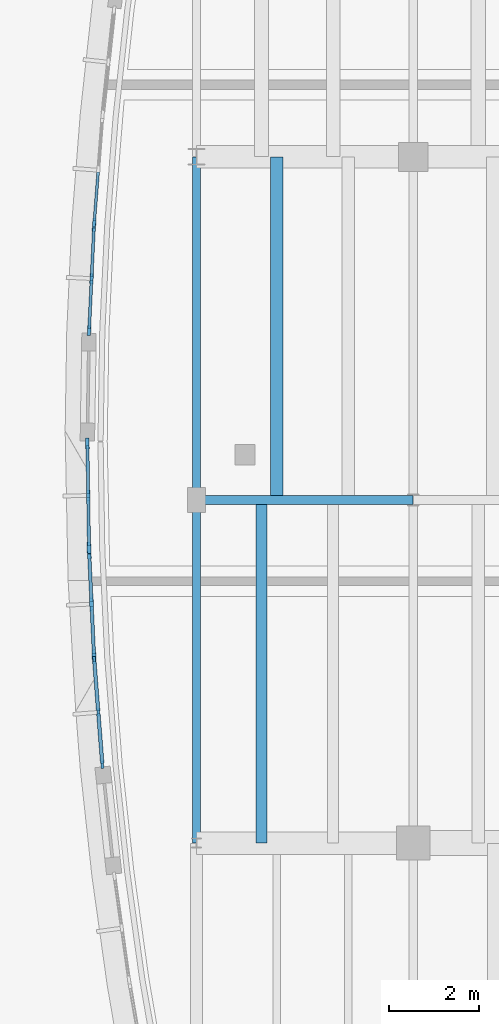
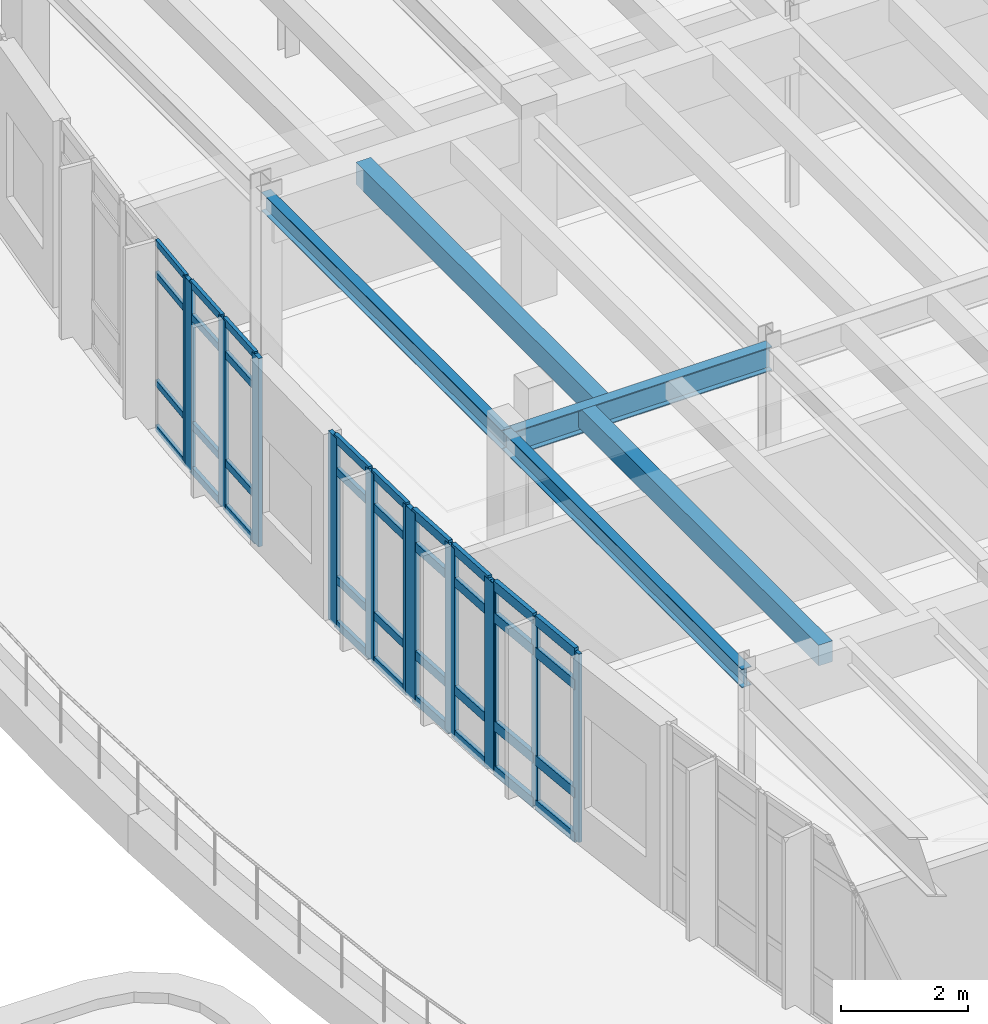
# One storey, part 46 of 111: 49 members, 5 beams, 5 elements without a shape of their own.
"""IFC4 building model written with IfcOpenShell, lengths in metres."""

from ifc_helpers import new_model, si_unit, direction, frame, origin, origin_2d, place, context, subcontext, project, spatial, rectangle, i_section, extrude, material, material_profile, profile_set, type_object, element, aggregate, save


model = new_model("IFC4")

# Units and contexts
model_context = context("Model", 3, precision=1e-05, world=origin(), true_north=direction((0.0, 1.0)))
body_context = subcontext(model_context, "Body", "Model", "MODEL_VIEW")
ifc_project = project(units=[si_unit("LENGTHUNIT", "METRE"), si_unit("AREAUNIT", "SQUARE_METRE"), si_unit("VOLUMEUNIT", "CUBIC_METRE"), si_unit("PLANEANGLEUNIT", "RADIAN"), si_unit("MASSUNIT", "GRAM", prefix="KILO")], contexts=[model_context])

# Site, building, storey
site_placement = place(None, origin())
site = spatial("IfcSite", under=ifc_project, at=site_placement, CompositionType="ELEMENT")
building_placement = place(site_placement, origin())
building = spatial("IfcBuilding", under=site, at=building_placement, Name="Corveleigh Park Community Centre", CompositionType="ELEMENT")
storey_placement = place(building_placement, frame((0.0, 0.0, 4.800048828125)))
storey = spatial("IfcBuildingStorey", under=building, at=storey_placement, Name="L01", CompositionType="ELEMENT", Elevation=4.800048828125)

# Beams
ifc_material_1 = material(Name="Concrete C40/50", Category="concrete")
ifc_material_profile_1 = material_profile(ifc_material_1, rectangle(XDim=0.25, YDim=0.39990234375, at=origin_2d()), Name="RC-250x400", Category="concrete")
ifc_profile_set_1 = profile_set([ifc_material_profile_1], Name="Concrete C40/50")
beam_type_1 = type_object("IfcBeamType", Name="BM-RC-250x400", PredefinedType="JOIST", material=ifc_profile_set_1)
beam_1_placement = place(storey_placement, frame((136.0400390625, 73.804931640625, 3.411865234375), z_axis=(0.0, 1.0, 0.0), x_axis=(-1.0, 0.0, 0.0)))
element("IfcBeam", 1, at=beam_1_placement, inside=storey, type_object=beam_type_1, Name="Secondary floor joist", PredefinedType="JOIST", context=body_context, shape_type="SweptSolid", body=[
    extrude(rectangle(XDim=0.25, YDim=0.39990234375, at=origin_2d()), origin(), (0.0, 0.0, 1.0), 7.590087890625),
])
ifc_material_profile_2 = material_profile(ifc_material_1, rectangle(XDim=0.27490234375, YDim=0.425048828125, at=origin_2d()), Name="RC-275x425", Category="concrete")
ifc_profile_set_2 = profile_set([ifc_material_profile_2], Name="Concrete C40/50")
beam_type_2 = type_object("IfcBeamType", Name="BM-RC-275x425", PredefinedType="JOIST", material=ifc_profile_set_2)
beam_2_placement = place(storey_placement, frame((136.3759765625, 81.405029296875, 3.3994140625), z_axis=(0.0, 1.0, 0.0), x_axis=(-1.0, 0.0, 0.0)))
element("IfcBeam", 2, at=beam_2_placement, inside=storey, type_object=beam_type_2, Name="Secondary floor joist", PredefinedType="JOIST", context=body_context, shape_type="SweptSolid", body=[
    extrude(rectangle(XDim=0.27490234375, YDim=0.425048828125, at=origin_2d()), origin(), (0.0, 0.0, 1.0), 7.590087890625),
])
ifc_material_2 = material(Name="Steel S355", Category="steel")
ifc_material_profile_3 = material_profile(ifc_material_2, i_section(OverallWidth=0.172119140625, OverallDepth=0.35791015625, WebThickness=0.008056640625, FlangeThickness=0.012939453125, at=origin_2d()), Name="UKB 356x171x57", Category="steel")
ifc_profile_set_3 = profile_set([ifc_material_profile_3], Name="Steel S355")
beam_type_3 = type_object("IfcBeamType", Name="BM-STL-UKB356x57", PredefinedType="BEAM", material=ifc_profile_set_3)
beam_3_placement = place(storey_placement, frame((134.60009765625, 73.804931640625, 3.4580078125), z_axis=(0.0, 1.0, 0.0), x_axis=(-1.0, 0.0, 0.0)))
element("IfcBeam", 3, at=beam_3_placement, inside=storey, type_object=beam_type_3, Name="V4 Girder Y", PredefinedType="BEAM", context=body_context, shape_type="SweptSolid", body=[
    extrude(i_section(OverallWidth=0.172119140625, OverallDepth=0.35791015625, WebThickness=0.008056640625, FlangeThickness=0.012939453125, at=origin_2d()), origin(), (0.0, 0.0, 1.0), 7.590087890625),
])
ifc_material_profile_4 = material_profile(ifc_material_2, i_section(OverallWidth=0.173095703125, OverallDepth=0.36328125, WebThickness=0.009033203125, FlangeThickness=0.015625, at=origin_2d()), Name="UKB 356x171x67", Category="steel")
ifc_profile_set_4 = profile_set([ifc_material_profile_4], Name="Steel S355")
beam_type_4 = type_object("IfcBeamType", Name="BM-STL-UKB356x67", PredefinedType="BEAM", material=ifc_profile_set_4)
beam_4_placement = place(storey_placement, frame((134.60009765625, 81.405029296875, 3.455322265625), z_axis=(0.0, 1.0, 0.0), x_axis=(-1.0, 0.0, 0.0)))
element("IfcBeam", 4, at=beam_4_placement, inside=storey, type_object=beam_type_4, Name="V4 Girder Y", PredefinedType="BEAM", context=body_context, shape_type="SweptSolid", body=[
    extrude(i_section(OverallWidth=0.173095703125, OverallDepth=0.36328125, WebThickness=0.009033203125, FlangeThickness=0.015625, at=origin_2d()), origin(), (0.0, 0.0, 1.0), 7.590087890625),
])
ifc_material_profile_5 = material_profile(ifc_material_2, i_section(OverallWidth=0.19189453125, OverallDepth=0.46337890625, WebThickness=0.010498046875, FlangeThickness=0.017578125, at=origin_2d()), Name="UKB 457x191x89", Category="steel")
ifc_profile_set_5 = profile_set([ifc_material_profile_5], Name="Steel S355")
beam_type_5 = type_object("IfcBeamType", Name="BM-STL-UKB457x89", PredefinedType="BEAM", material=ifc_profile_set_5)
beam_5_placement = place(storey_placement, frame((134.60498046875, 81.39990234375, 3.38037109375), z_axis=(1.0, 0.0, 0.0), x_axis=(0.0, 1.0, 0.0)))
element("IfcBeam", 5, at=beam_5_placement, inside=storey, type_object=beam_type_5, Name="V4 Girder X", PredefinedType="BEAM", context=body_context, shape_type="SweptSolid", body=[
    extrude(i_section(OverallWidth=0.19189453125, OverallDepth=0.46337890625, WebThickness=0.010498046875, FlangeThickness=0.017578125, at=origin_2d()), origin(), (0.0, 0.0, 1.0), 4.7900390625),
])

# Curtain wall, members
ifc_material_3 = material(Name="Anodised aluminium 6063-T6", Category="aluminium")
curtain_wall_type = type_object("IfcCurtainWallType", Name="CW-SYS-V4-L01", PredefinedType="NOTDEFINED", material=ifc_material_3)
curtain_wall_1_placement = place(storey_placement, origin())
curtain_wall_1 = element("IfcCurtainWall", 6, at=curtain_wall_1_placement, inside=storey, type_object=curtain_wall_type, Name="V4 L01 Curtain Wall 295", PredefinedType="NOTDEFINED")
ifc_material_profile_6 = material_profile(ifc_material_3, rectangle(XDim=0.06005859375, YDim=0.159912109375, at=origin_2d()), Name="ALU-M60x160", Category="aluminium")
ifc_profile_set_6 = profile_set([ifc_material_profile_6], Name="Anodised aluminium 6063-T6")
member_type_1 = type_object("IfcMemberType", Name="CWM-60x160", PredefinedType="MULLION", material=ifc_profile_set_6)
member_1_placement = place(storey_placement, frame((132.513671875, 75.535888671875, 0.0), z_axis=(0.0, 0.0, 1.0), x_axis=(-0.997022350164, -0.077113119982, 0.0)))
member_1 = element("IfcMember", 7, at=member_1_placement, type_object=member_type_1, Name="CW08 mullion 1", PredefinedType="MULLION", context=body_context, shape_type="SweptSolid", body=[
    extrude(rectangle(XDim=0.06005859375, YDim=0.159912109375, at=origin_2d()), origin(), (0.0, 0.0, 1.0), 3.636962890625),
])
member_2_placement = place(storey_placement, frame((132.424072265625, 76.695556640625, 0.0), z_axis=(0.0, 0.0, 1.0), x_axis=(-0.997022350164, -0.077113119982, 0.0)))
member_2 = element("IfcMember", 8, at=member_2_placement, type_object=member_type_1, Name="CW08 mullion 2", PredefinedType="MULLION", context=body_context, shape_type="SweptSolid", body=[
    extrude(rectangle(XDim=0.06005859375, YDim=0.159912109375, at=origin_2d()), origin(), (0.0, 0.0, 1.0), 3.636962890625),
])
member_3_placement = place(storey_placement, frame((132.334228515625, 77.85498046875, 0.0), z_axis=(0.0, 0.0, 1.0), x_axis=(-0.997022350164, -0.077113119982, 0.0)))
member_3 = element("IfcMember", 9, at=member_3_placement, type_object=member_type_1, Name="CW08 mullion 3", PredefinedType="MULLION", context=body_context, shape_type="SweptSolid", body=[
    extrude(rectangle(XDim=0.06005859375, YDim=0.159912109375, at=origin_2d()), origin(), (0.0, 0.0, 1.0), 3.636962890625),
])

# Curtain wall, member
curtain_wall_2_placement = place(storey_placement, origin())
curtain_wall_2 = element("IfcCurtainWall", 10, at=curtain_wall_2_placement, inside=storey, type_object=curtain_wall_type, Name="V4 L01 Curtain Wall 291", PredefinedType="NOTDEFINED")
ifc_material_profile_7 = material_profile(ifc_material_3, rectangle(XDim=0.070068359375, YDim=0.199951171875, at=origin_2d()), Name="ALU-M70x200", Category="aluminium")
ifc_profile_set_7 = profile_set([ifc_material_profile_7], Name="Anodised aluminium 6063-T6")
member_type_2 = type_object("IfcMemberType", Name="CWM-70x200", PredefinedType="MULLION", material=ifc_profile_set_7)
member_4_placement = place(storey_placement, frame((132.334716796875, 87.5498046875, 0.0), z_axis=(0.0, 0.0, 1.0), x_axis=(-0.997022350164, 0.077113119982, 0.0)))
member_4 = element("IfcMember", 11, at=member_4_placement, type_object=member_type_2, Name="CW08 mullion 1", PredefinedType="MULLION", context=body_context, shape_type="SweptSolid", body=[
    extrude(rectangle(XDim=0.070068359375, YDim=0.199951171875, at=origin_2d()), origin(), (0.0, 0.0, 1.0), 3.636962890625),
])

# Curtain wall, members
curtain_wall_3_placement = place(storey_placement, origin())
curtain_wall_3 = element("IfcCurtainWall", 12, at=curtain_wall_3_placement, inside=storey, type_object=curtain_wall_type, Name="V4 L01 Curtain Wall 292", PredefinedType="NOTDEFINED")
ifc_material_profile_8 = material_profile(ifc_material_3, rectangle(XDim=0.074951171875, YDim=0.219970703125, at=origin_2d()), Name="ALU-M75x220", Category="aluminium")
ifc_profile_set_8 = profile_set([ifc_material_profile_8], Name="Anodised aluminium 6063-T6")
member_type_3 = type_object("IfcMemberType", Name="CWM-75x220", PredefinedType="MULLION", material=ifc_profile_set_8)
member_5_placement = place(storey_placement, frame((132.220703125, 85.150390625, 0.0), z_axis=(0.0, 0.0, 1.0), x_axis=(-0.9988982695, 0.046928106618, 0.0)))
member_5 = element("IfcMember", 13, at=member_5_placement, type_object=member_type_3, Name="CW08 mullion 1", PredefinedType="MULLION", context=body_context, shape_type="SweptSolid", body=[
    extrude(rectangle(XDim=0.074951171875, YDim=0.219970703125, at=origin_2d()), origin(), (0.0, 0.0, 1.0), 3.636962890625),
])
member_6_placement = place(storey_placement, frame((132.27490234375, 86.304931640625, 0.0), z_axis=(0.0, 0.0, 1.0), x_axis=(-0.9988982695, 0.046928106618, 0.0)))
member_6 = element("IfcMember", 14, at=member_6_placement, type_object=member_type_3, Name="CW08 mullion 2", PredefinedType="MULLION", context=body_context, shape_type="SweptSolid", body=[
    extrude(rectangle(XDim=0.074951171875, YDim=0.219970703125, at=origin_2d()), origin(), (0.0, 0.0, 1.0), 3.636962890625),
])
member_7_placement = place(storey_placement, frame((132.329345703125, 87.45947265625, 0.0), z_axis=(0.0, 0.0, 1.0), x_axis=(-0.9988982695, 0.046928106618, 0.0)))
member_7 = element("IfcMember", 15, at=member_7_placement, type_object=member_type_3, Name="CW08 mullion 3", PredefinedType="MULLION", context=body_context, shape_type="SweptSolid", body=[
    extrude(rectangle(XDim=0.074951171875, YDim=0.219970703125, at=origin_2d()), origin(), (0.0, 0.0, 1.0), 3.636962890625),
])

curtain_wall_4_placement = place(storey_placement, origin())
curtain_wall_4 = element("IfcCurtainWall", 16, at=curtain_wall_4_placement, inside=storey, type_object=curtain_wall_type, Name="V4 L01 Curtain Wall 293", PredefinedType="NOTDEFINED")
ifc_material_profile_9 = material_profile(ifc_material_3, rectangle(XDim=0.080078125, YDim=0.25, at=origin_2d()), Name="ALU-M80x250", Category="aluminium")
ifc_profile_set_9 = profile_set([ifc_material_profile_9], Name="Anodised aluminium 6063-T6")
member_type_4 = type_object("IfcMemberType", Name="CWM-80x250", PredefinedType="MULLION", material=ifc_profile_set_9)
member_8_placement = place(storey_placement, frame((132.21826171875, 80.344970703125, 0.0), z_axis=(0.0, 0.0, 1.0), x_axis=(-0.999879786219, -0.015505260721, 0.0)))
member_8 = element("IfcMember", 17, at=member_8_placement, type_object=member_type_4, Name="CW08 mullion 1", PredefinedType="MULLION", context=body_context, shape_type="SweptSolid", body=[
    extrude(rectangle(XDim=0.080078125, YDim=0.25, at=origin_2d()), origin(), (0.0, 0.0, 1.0), 3.636962890625),
])
member_9_placement = place(storey_placement, frame((132.200439453125, 81.498046875, 0.0), z_axis=(0.0, 0.0, 1.0), x_axis=(-0.999879786219, -0.015505260721, 0.0)))
member_9 = element("IfcMember", 18, at=member_9_placement, type_object=member_type_4, Name="CW08 mullion 2", PredefinedType="MULLION", context=body_context, shape_type="SweptSolid", body=[
    extrude(rectangle(XDim=0.080078125, YDim=0.25, at=origin_2d()), origin(), (0.0, 0.0, 1.0), 3.636962890625),
])
member_10_placement = place(storey_placement, frame((132.1826171875, 82.651123046875, 0.0), z_axis=(0.0, 0.0, 1.0), x_axis=(-0.999879786219, -0.015505260721, 0.0)))
member_10 = element("IfcMember", 19, at=member_10_placement, type_object=member_type_4, Name="CW08 mullion 3", PredefinedType="MULLION", context=body_context, shape_type="SweptSolid", body=[
    extrude(rectangle(XDim=0.080078125, YDim=0.25, at=origin_2d()), origin(), (0.0, 0.0, 1.0), 3.636962890625),
])

curtain_wall_5_placement = place(storey_placement, origin())
curtain_wall_5 = element("IfcCurtainWall", 20, at=curtain_wall_5_placement, inside=storey, type_object=curtain_wall_type, Name="V4 L01 Curtain Wall 294", PredefinedType="NOTDEFINED")
ifc_material_profile_10 = material_profile(ifc_material_3, rectangle(XDim=0.0849609375, YDim=0.27490234375, at=origin_2d()), Name="ALU-M85x275", Category="aluminium")
ifc_profile_set_10 = profile_set([ifc_material_profile_10], Name="Anodised aluminium 6063-T6")
member_type_5 = type_object("IfcMemberType", Name="CWM-85x275", PredefinedType="MULLION", material=ifc_profile_set_10)
member_11_placement = place(storey_placement, frame((132.3291015625, 77.945556640625, 0.0), z_axis=(0.0, 0.0, 1.0), x_axis=(-0.9988982695, -0.046928106618, 0.0)))
member_11 = element("IfcMember", 21, at=member_11_placement, type_object=member_type_5, Name="CW08 mullion 1", PredefinedType="MULLION", context=body_context, shape_type="SweptSolid", body=[
    extrude(rectangle(XDim=0.0849609375, YDim=0.27490234375, at=origin_2d()), origin(), (0.0, 0.0, 1.0), 3.636962890625),
])
member_12_placement = place(storey_placement, frame((132.27490234375, 79.094970703125, 0.0), z_axis=(0.0, 0.0, 1.0), x_axis=(-0.9988982695, -0.046928106618, 0.0)))
member_12 = element("IfcMember", 22, at=member_12_placement, type_object=member_type_5, Name="CW08 mullion 2", PredefinedType="MULLION", context=body_context, shape_type="SweptSolid", body=[
    extrude(rectangle(XDim=0.0849609375, YDim=0.27490234375, at=origin_2d()), origin(), (0.0, 0.0, 1.0), 3.636962890625),
])
member_13_placement = place(storey_placement, frame((132.220947265625, 80.24462890625, 0.0), z_axis=(0.0, 0.0, 1.0), x_axis=(-0.9988982695, -0.046928106618, 0.0)))
member_13 = element("IfcMember", 23, at=member_13_placement, type_object=member_type_5, Name="CW08 mullion 3", PredefinedType="MULLION", context=body_context, shape_type="SweptSolid", body=[
    extrude(rectangle(XDim=0.0849609375, YDim=0.27490234375, at=origin_2d()), origin(), (0.0, 0.0, 1.0), 3.636962890625),
])

# Member
ifc_material_profile_11 = material_profile(ifc_material_3, rectangle(XDim=0.06005859375, YDim=0.1201171875, at=origin_2d()), Name="ALU-T60x120", Category="aluminium")
ifc_profile_set_11 = profile_set([ifc_material_profile_11], Name="Anodised aluminium 6063-T6")
member_type_6 = type_object("IfcMemberType", Name="CWT-60x120", PredefinedType="USERDEFINED", material=ifc_profile_set_11)
member_14_placement = place(storey_placement, frame((132.33740234375, 87.584716796875, 0.030029296875), z_axis=(0.077176865824, 0.997017417793, 0.0), x_axis=(-0.997017417793, 0.077176865824, 0.0)))
member_14 = element("IfcMember", 24, at=member_14_placement, type_object=member_type_6, Name="CW08 transom 1.1", ObjectType="TRANSOM", PredefinedType="USERDEFINED", context=body_context, shape_type="SweptSolid", body=[
    extrude(rectangle(XDim=0.06005859375, YDim=0.1201171875, at=origin_2d()), origin(), (0.0, 0.0, 1.0), 1.088134765625),
])

member_15_placement = place(storey_placement, frame((132.33740234375, 87.584716796875, 0.89990234375), z_axis=(0.077176865824, 0.997017417793, 0.0), x_axis=(-0.997017417793, 0.077176865824, 0.0)))
member_15 = element("IfcMember", 25, at=member_15_placement, type_object=member_type_6, Name="CW08 transom 1.2", ObjectType="TRANSOM", PredefinedType="USERDEFINED", context=body_context, shape_type="SweptSolid", body=[
    extrude(rectangle(XDim=0.06005859375, YDim=0.1201171875, at=origin_2d()), origin(), (0.0, 0.0, 1.0), 1.088134765625),
])

member_16_placement = place(storey_placement, frame((132.33740234375, 87.584716796875, 2.987060546875), z_axis=(0.077176865824, 0.997017417793, 0.0), x_axis=(-0.997017417793, 0.077176865824, 0.0)))
member_16 = element("IfcMember", 26, at=member_16_placement, type_object=member_type_6, Name="CW08 transom 1.3", ObjectType="TRANSOM", PredefinedType="USERDEFINED", context=body_context, shape_type="SweptSolid", body=[
    extrude(rectangle(XDim=0.06005859375, YDim=0.1201171875, at=origin_2d()), origin(), (0.0, 0.0, 1.0), 1.088134765625),
])

member_17_placement = place(storey_placement, frame((132.33740234375, 87.584716796875, 3.60693359375), z_axis=(0.077176865824, 0.997017417793, 0.0), x_axis=(-0.997017417793, 0.077176865824, 0.0)))
member_17 = element("IfcMember", 27, at=member_17_placement, type_object=member_type_6, Name="CW08 transom 1.4", ObjectType="TRANSOM", PredefinedType="USERDEFINED", context=body_context, shape_type="SweptSolid", body=[
    extrude(rectangle(XDim=0.06005859375, YDim=0.1201171875, at=origin_2d()), origin(), (0.0, 0.0, 1.0), 1.088134765625),
])

aggregate(curtain_wall_2, [member_4, member_14, member_15, member_16, member_17])

ifc_material_profile_12 = material_profile(ifc_material_3, rectangle(XDim=0.06494140625, YDim=0.139892578125, at=origin_2d()), Name="ALU-T65x140", Category="aluminium")
ifc_profile_set_12 = profile_set([ifc_material_profile_12], Name="Anodised aluminium 6063-T6")
member_type_7 = type_object("IfcMemberType", Name="CWT-65x140", PredefinedType="USERDEFINED", material=ifc_profile_set_12)
member_18_placement = place(storey_placement, frame((132.222412109375, 85.18798828125, 0.032470703125), z_axis=(0.046985589778, 0.998895567291, 0.0), x_axis=(-0.998895567291, 0.046985589778, 0.0)))
member_18 = element("IfcMember", 28, at=member_18_placement, type_object=member_type_7, Name="CW08 transom 1.1", ObjectType="TRANSOM", PredefinedType="USERDEFINED", context=body_context, shape_type="SweptSolid", body=[
    extrude(rectangle(XDim=0.06494140625, YDim=0.139892578125, at=origin_2d()), origin(), (0.0, 0.0, 1.0), 1.080810546875),
])

member_19_placement = place(storey_placement, frame((132.222412109375, 85.18798828125, 0.89990234375), z_axis=(0.046985589778, 0.998895567291, 0.0), x_axis=(-0.998895567291, 0.046985589778, 0.0)))
member_19 = element("IfcMember", 29, at=member_19_placement, type_object=member_type_7, Name="CW08 transom 1.2", ObjectType="TRANSOM", PredefinedType="USERDEFINED", context=body_context, shape_type="SweptSolid", body=[
    extrude(rectangle(XDim=0.06494140625, YDim=0.139892578125, at=origin_2d()), origin(), (0.0, 0.0, 1.0), 1.080810546875),
])

member_20_placement = place(storey_placement, frame((132.222412109375, 85.18798828125, 2.987060546875), z_axis=(0.046985589778, 0.998895567291, 0.0), x_axis=(-0.998895567291, 0.046985589778, 0.0)))
member_20 = element("IfcMember", 30, at=member_20_placement, type_object=member_type_7, Name="CW08 transom 1.3", ObjectType="TRANSOM", PredefinedType="USERDEFINED", context=body_context, shape_type="SweptSolid", body=[
    extrude(rectangle(XDim=0.06494140625, YDim=0.139892578125, at=origin_2d()), origin(), (0.0, 0.0, 1.0), 1.080810546875),
])

member_21_placement = place(storey_placement, frame((132.222412109375, 85.18798828125, 3.6044921875), z_axis=(0.046985589778, 0.998895567291, 0.0), x_axis=(-0.998895567291, 0.046985589778, 0.0)))
member_21 = element("IfcMember", 31, at=member_21_placement, type_object=member_type_7, Name="CW08 transom 1.4", ObjectType="TRANSOM", PredefinedType="USERDEFINED", context=body_context, shape_type="SweptSolid", body=[
    extrude(rectangle(XDim=0.06494140625, YDim=0.139892578125, at=origin_2d()), origin(), (0.0, 0.0, 1.0), 1.080810546875),
])

member_22_placement = place(storey_placement, frame((132.27685546875, 86.342529296875, 0.032470703125), z_axis=(0.046760192626, 0.998906143932, 0.0), x_axis=(-0.998906143932, 0.046760192626, 0.0)))
member_22 = element("IfcMember", 32, at=member_22_placement, type_object=member_type_7, Name="CW08 transom 2.1", ObjectType="TRANSOM", PredefinedType="USERDEFINED", context=body_context, shape_type="SweptSolid", body=[
    extrude(rectangle(XDim=0.06494140625, YDim=0.139892578125, at=origin_2d()), origin(), (0.0, 0.0, 1.0), 1.080810546875),
])

member_23_placement = place(storey_placement, frame((132.27685546875, 86.342529296875, 0.89990234375), z_axis=(0.046760192626, 0.998906143932, 0.0), x_axis=(-0.998906143932, 0.046760192626, 0.0)))
member_23 = element("IfcMember", 33, at=member_23_placement, type_object=member_type_7, Name="CW08 transom 2.2", ObjectType="TRANSOM", PredefinedType="USERDEFINED", context=body_context, shape_type="SweptSolid", body=[
    extrude(rectangle(XDim=0.06494140625, YDim=0.139892578125, at=origin_2d()), origin(), (0.0, 0.0, 1.0), 1.080810546875),
])

member_24_placement = place(storey_placement, frame((132.27685546875, 86.342529296875, 2.987060546875), z_axis=(0.046760192626, 0.998906143932, 0.0), x_axis=(-0.998906143932, 0.046760192626, 0.0)))
member_24 = element("IfcMember", 34, at=member_24_placement, type_object=member_type_7, Name="CW08 transom 2.3", ObjectType="TRANSOM", PredefinedType="USERDEFINED", context=body_context, shape_type="SweptSolid", body=[
    extrude(rectangle(XDim=0.06494140625, YDim=0.139892578125, at=origin_2d()), origin(), (0.0, 0.0, 1.0), 1.080810546875),
])

member_25_placement = place(storey_placement, frame((132.27685546875, 86.342529296875, 3.6044921875), z_axis=(0.046760192626, 0.998906143932, 0.0), x_axis=(-0.998906143932, 0.046760192626, 0.0)))
member_25 = element("IfcMember", 35, at=member_25_placement, type_object=member_type_7, Name="CW08 transom 2.4", ObjectType="TRANSOM", PredefinedType="USERDEFINED", context=body_context, shape_type="SweptSolid", body=[
    extrude(rectangle(XDim=0.06494140625, YDim=0.139892578125, at=origin_2d()), origin(), (0.0, 0.0, 1.0), 1.080810546875),
])

aggregate(curtain_wall_3, [member_5, member_6, member_7, member_18, member_19, member_20, member_21, member_22, member_23, member_24, member_25])

ifc_material_profile_13 = material_profile(ifc_material_3, rectangle(XDim=0.070068359375, YDim=0.155029296875, at=origin_2d()), Name="ALU-T70x155", Category="aluminium")
ifc_profile_set_13 = profile_set([ifc_material_profile_13], Name="Anodised aluminium 6063-T6")
member_type_8 = type_object("IfcMemberType", Name="CWT-70x155", PredefinedType="USERDEFINED", material=ifc_profile_set_13)
member_26_placement = place(storey_placement, frame((132.2177734375, 80.385009765625, 0.034912109375), z_axis=(-0.015470275839, 0.999880328122, 0.0), x_axis=(-0.999880328122, -0.015470275839, 0.0)))
member_26 = element("IfcMember", 36, at=member_26_placement, type_object=member_type_8, Name="CW08 transom 1.1", ObjectType="TRANSOM", PredefinedType="USERDEFINED", context=body_context, shape_type="SweptSolid", body=[
    extrude(rectangle(XDim=0.070068359375, YDim=0.155029296875, at=origin_2d()), origin(), (0.0, 0.0, 1.0), 1.0732421875),
])

member_27_placement = place(storey_placement, frame((132.2177734375, 80.385009765625, 0.89990234375), z_axis=(-0.015470275839, 0.999880328122, 0.0), x_axis=(-0.999880328122, -0.015470275839, 0.0)))
member_27 = element("IfcMember", 37, at=member_27_placement, type_object=member_type_8, Name="CW08 transom 1.2", ObjectType="TRANSOM", PredefinedType="USERDEFINED", context=body_context, shape_type="SweptSolid", body=[
    extrude(rectangle(XDim=0.070068359375, YDim=0.155029296875, at=origin_2d()), origin(), (0.0, 0.0, 1.0), 1.0732421875),
])

member_28_placement = place(storey_placement, frame((132.2177734375, 80.385009765625, 2.987060546875), z_axis=(-0.015470275839, 0.999880328122, 0.0), x_axis=(-0.999880328122, -0.015470275839, 0.0)))
member_28 = element("IfcMember", 38, at=member_28_placement, type_object=member_type_8, Name="CW08 transom 1.3", ObjectType="TRANSOM", PredefinedType="USERDEFINED", context=body_context, shape_type="SweptSolid", body=[
    extrude(rectangle(XDim=0.070068359375, YDim=0.155029296875, at=origin_2d()), origin(), (0.0, 0.0, 1.0), 1.0732421875),
])

member_29_placement = place(storey_placement, frame((132.2177734375, 80.385009765625, 3.60205078125), z_axis=(-0.015470275839, 0.999880328122, 0.0), x_axis=(-0.999880328122, -0.015470275839, 0.0)))
member_29 = element("IfcMember", 39, at=member_29_placement, type_object=member_type_8, Name="CW08 transom 1.4", ObjectType="TRANSOM", PredefinedType="USERDEFINED", context=body_context, shape_type="SweptSolid", body=[
    extrude(rectangle(XDim=0.070068359375, YDim=0.155029296875, at=origin_2d()), origin(), (0.0, 0.0, 1.0), 1.0732421875),
])

member_30_placement = place(storey_placement, frame((132.199951171875, 81.5380859375, 0.034912109375), z_axis=(-0.015470275839, 0.999880328122, 0.0), x_axis=(-0.999880328122, -0.015470275839, 0.0)))
member_30 = element("IfcMember", 40, at=member_30_placement, type_object=member_type_8, Name="CW08 transom 2.1", ObjectType="TRANSOM", PredefinedType="USERDEFINED", context=body_context, shape_type="SweptSolid", body=[
    extrude(rectangle(XDim=0.070068359375, YDim=0.155029296875, at=origin_2d()), origin(), (0.0, 0.0, 1.0), 1.0732421875),
])

member_31_placement = place(storey_placement, frame((132.199951171875, 81.5380859375, 0.89990234375), z_axis=(-0.015470275839, 0.999880328122, 0.0), x_axis=(-0.999880328122, -0.015470275839, 0.0)))
member_31 = element("IfcMember", 41, at=member_31_placement, type_object=member_type_8, Name="CW08 transom 2.2", ObjectType="TRANSOM", PredefinedType="USERDEFINED", context=body_context, shape_type="SweptSolid", body=[
    extrude(rectangle(XDim=0.070068359375, YDim=0.155029296875, at=origin_2d()), origin(), (0.0, 0.0, 1.0), 1.0732421875),
])

member_32_placement = place(storey_placement, frame((132.199951171875, 81.5380859375, 2.987060546875), z_axis=(-0.015470275839, 0.999880328122, 0.0), x_axis=(-0.999880328122, -0.015470275839, 0.0)))
member_32 = element("IfcMember", 42, at=member_32_placement, type_object=member_type_8, Name="CW08 transom 2.3", ObjectType="TRANSOM", PredefinedType="USERDEFINED", context=body_context, shape_type="SweptSolid", body=[
    extrude(rectangle(XDim=0.070068359375, YDim=0.155029296875, at=origin_2d()), origin(), (0.0, 0.0, 1.0), 1.0732421875),
])

member_33_placement = place(storey_placement, frame((132.199951171875, 81.5380859375, 3.60205078125), z_axis=(-0.015470275839, 0.999880328122, 0.0), x_axis=(-0.999880328122, -0.015470275839, 0.0)))
member_33 = element("IfcMember", 43, at=member_33_placement, type_object=member_type_8, Name="CW08 transom 2.4", ObjectType="TRANSOM", PredefinedType="USERDEFINED", context=body_context, shape_type="SweptSolid", body=[
    extrude(rectangle(XDim=0.070068359375, YDim=0.155029296875, at=origin_2d()), origin(), (0.0, 0.0, 1.0), 1.0732421875),
])

aggregate(curtain_wall_4, [member_8, member_9, member_10, member_26, member_27, member_28, member_29, member_30, member_31, member_32, member_33])

ifc_material_profile_14 = material_profile(ifc_material_3, rectangle(XDim=0.074951171875, YDim=0.175048828125, at=origin_2d()), Name="ALU-T75x175", Category="aluminium")
ifc_profile_set_14 = profile_set([ifc_material_profile_14], Name="Anodised aluminium 6063-T6")
member_type_9 = type_object("IfcMemberType", Name="CWT-75x175", PredefinedType="USERDEFINED", material=ifc_profile_set_14)
member_34_placement = place(storey_placement, frame((132.326904296875, 77.98779296875, 0.037353515625), z_axis=(-0.046727165477, 0.998907689432, 0.0), x_axis=(-0.998907689432, -0.046727165477, 0.0)))
member_34 = element("IfcMember", 44, at=member_34_placement, type_object=member_type_9, Name="CW08 transom 1.1", ObjectType="TRANSOM", PredefinedType="USERDEFINED", context=body_context, shape_type="SweptSolid", body=[
    extrude(rectangle(XDim=0.074951171875, YDim=0.175048828125, at=origin_2d()), origin(), (0.0, 0.0, 1.0), 1.06591796875),
])

member_35_placement = place(storey_placement, frame((132.326904296875, 77.98779296875, 0.89990234375), z_axis=(-0.046727165477, 0.998907689432, 0.0), x_axis=(-0.998907689432, -0.046727165477, 0.0)))
member_35 = element("IfcMember", 45, at=member_35_placement, type_object=member_type_9, Name="CW08 transom 1.2", ObjectType="TRANSOM", PredefinedType="USERDEFINED", context=body_context, shape_type="SweptSolid", body=[
    extrude(rectangle(XDim=0.074951171875, YDim=0.175048828125, at=origin_2d()), origin(), (0.0, 0.0, 1.0), 1.06591796875),
])

member_36_placement = place(storey_placement, frame((132.326904296875, 77.98779296875, 2.987060546875), z_axis=(-0.046727165477, 0.998907689432, 0.0), x_axis=(-0.998907689432, -0.046727165477, 0.0)))
member_36 = element("IfcMember", 46, at=member_36_placement, type_object=member_type_9, Name="CW08 transom 1.3", ObjectType="TRANSOM", PredefinedType="USERDEFINED", context=body_context, shape_type="SweptSolid", body=[
    extrude(rectangle(XDim=0.074951171875, YDim=0.175048828125, at=origin_2d()), origin(), (0.0, 0.0, 1.0), 1.06591796875),
])

member_37_placement = place(storey_placement, frame((132.326904296875, 77.98779296875, 3.599365234375), z_axis=(-0.046727165477, 0.998907689432, 0.0), x_axis=(-0.998907689432, -0.046727165477, 0.0)))
member_37 = element("IfcMember", 47, at=member_37_placement, type_object=member_type_9, Name="CW08 transom 1.4", ObjectType="TRANSOM", PredefinedType="USERDEFINED", context=body_context, shape_type="SweptSolid", body=[
    extrude(rectangle(XDim=0.074951171875, YDim=0.175048828125, at=origin_2d()), origin(), (0.0, 0.0, 1.0), 1.06591796875),
])

member_38_placement = place(storey_placement, frame((132.27294921875, 79.137451171875, 0.037353515625), z_axis=(-0.04695571641, 0.998896972013, 0.0), x_axis=(-0.998896972013, -0.04695571641, 0.0)))
member_38 = element("IfcMember", 48, at=member_38_placement, type_object=member_type_9, Name="CW08 transom 2.1", ObjectType="TRANSOM", PredefinedType="USERDEFINED", context=body_context, shape_type="SweptSolid", body=[
    extrude(rectangle(XDim=0.074951171875, YDim=0.175048828125, at=origin_2d()), origin(), (0.0, 0.0, 1.0), 1.06591796875),
])

member_39_placement = place(storey_placement, frame((132.27294921875, 79.137451171875, 0.89990234375), z_axis=(-0.04695571641, 0.998896972013, 0.0), x_axis=(-0.998896972013, -0.04695571641, 0.0)))
member_39 = element("IfcMember", 49, at=member_39_placement, type_object=member_type_9, Name="CW08 transom 2.2", ObjectType="TRANSOM", PredefinedType="USERDEFINED", context=body_context, shape_type="SweptSolid", body=[
    extrude(rectangle(XDim=0.074951171875, YDim=0.175048828125, at=origin_2d()), origin(), (0.0, 0.0, 1.0), 1.06591796875),
])

member_40_placement = place(storey_placement, frame((132.27294921875, 79.137451171875, 2.987060546875), z_axis=(-0.04695571641, 0.998896972013, 0.0), x_axis=(-0.998896972013, -0.04695571641, 0.0)))
member_40 = element("IfcMember", 50, at=member_40_placement, type_object=member_type_9, Name="CW08 transom 2.3", ObjectType="TRANSOM", PredefinedType="USERDEFINED", context=body_context, shape_type="SweptSolid", body=[
    extrude(rectangle(XDim=0.074951171875, YDim=0.175048828125, at=origin_2d()), origin(), (0.0, 0.0, 1.0), 1.06591796875),
])

member_41_placement = place(storey_placement, frame((132.27294921875, 79.137451171875, 3.599365234375), z_axis=(-0.04695571641, 0.998896972013, 0.0), x_axis=(-0.998896972013, -0.04695571641, 0.0)))
member_41 = element("IfcMember", 51, at=member_41_placement, type_object=member_type_9, Name="CW08 transom 2.4", ObjectType="TRANSOM", PredefinedType="USERDEFINED", context=body_context, shape_type="SweptSolid", body=[
    extrude(rectangle(XDim=0.074951171875, YDim=0.175048828125, at=origin_2d()), origin(), (0.0, 0.0, 1.0), 1.06591796875),
])

aggregate(curtain_wall_5, [member_11, member_12, member_13, member_34, member_35, member_36, member_37, member_38, member_39, member_40, member_41])

ifc_material_profile_15 = material_profile(ifc_material_3, rectangle(XDim=0.080078125, YDim=0.195068359375, at=origin_2d()), Name="ALU-T80x195", Category="aluminium")
ifc_profile_set_15 = profile_set([ifc_material_profile_15], Name="Anodised aluminium 6063-T6")
member_type_10 = type_object("IfcMemberType", Name="CWT-80x195", PredefinedType="USERDEFINED", material=ifc_profile_set_15)
member_42_placement = place(storey_placement, frame((132.511474609375, 75.56591796875, 0.0400390625), z_axis=(-0.077255098634, 0.99701135888, 0.0), x_axis=(-0.99701135888, -0.077255098634, 0.0)))
member_42 = element("IfcMember", 52, at=member_42_placement, type_object=member_type_10, Name="CW08 transom 1.1", ObjectType="TRANSOM", PredefinedType="USERDEFINED", context=body_context, shape_type="SweptSolid", body=[
    extrude(rectangle(XDim=0.080078125, YDim=0.195068359375, at=origin_2d()), origin(), (0.0, 0.0, 1.0), 1.10302734375),
])

member_43_placement = place(storey_placement, frame((132.511474609375, 75.56591796875, 0.89990234375), z_axis=(-0.077255098634, 0.99701135888, 0.0), x_axis=(-0.99701135888, -0.077255098634, 0.0)))
member_43 = element("IfcMember", 53, at=member_43_placement, type_object=member_type_10, Name="CW08 transom 1.2", ObjectType="TRANSOM", PredefinedType="USERDEFINED", context=body_context, shape_type="SweptSolid", body=[
    extrude(rectangle(XDim=0.080078125, YDim=0.195068359375, at=origin_2d()), origin(), (0.0, 0.0, 1.0), 1.10302734375),
])

member_44_placement = place(storey_placement, frame((132.511474609375, 75.56591796875, 2.987060546875), z_axis=(-0.077255098634, 0.99701135888, 0.0), x_axis=(-0.99701135888, -0.077255098634, 0.0)))
member_44 = element("IfcMember", 54, at=member_44_placement, type_object=member_type_10, Name="CW08 transom 1.3", ObjectType="TRANSOM", PredefinedType="USERDEFINED", context=body_context, shape_type="SweptSolid", body=[
    extrude(rectangle(XDim=0.080078125, YDim=0.195068359375, at=origin_2d()), origin(), (0.0, 0.0, 1.0), 1.10302734375),
])

member_45_placement = place(storey_placement, frame((132.511474609375, 75.56591796875, 3.596923828125), z_axis=(-0.077255098634, 0.99701135888, 0.0), x_axis=(-0.99701135888, -0.077255098634, 0.0)))
member_45 = element("IfcMember", 55, at=member_45_placement, type_object=member_type_10, Name="CW08 transom 1.4", ObjectType="TRANSOM", PredefinedType="USERDEFINED", context=body_context, shape_type="SweptSolid", body=[
    extrude(rectangle(XDim=0.080078125, YDim=0.195068359375, at=origin_2d()), origin(), (0.0, 0.0, 1.0), 1.10302734375),
])

member_46_placement = place(storey_placement, frame((132.421630859375, 76.725341796875, 0.0400390625), z_axis=(-0.077018054386, 0.997029698303, 0.0), x_axis=(-0.997029698303, -0.077018054386, 0.0)))
member_46 = element("IfcMember", 56, at=member_46_placement, type_object=member_type_10, Name="CW08 transom 2.1", ObjectType="TRANSOM", PredefinedType="USERDEFINED", context=body_context, shape_type="SweptSolid", body=[
    extrude(rectangle(XDim=0.080078125, YDim=0.195068359375, at=origin_2d()), origin(), (0.0, 0.0, 1.0), 1.10302734375),
])

member_47_placement = place(storey_placement, frame((132.421630859375, 76.725341796875, 0.89990234375), z_axis=(-0.077018054386, 0.997029698303, 0.0), x_axis=(-0.997029698303, -0.077018054386, 0.0)))
member_47 = element("IfcMember", 57, at=member_47_placement, type_object=member_type_10, Name="CW08 transom 2.2", ObjectType="TRANSOM", PredefinedType="USERDEFINED", context=body_context, shape_type="SweptSolid", body=[
    extrude(rectangle(XDim=0.080078125, YDim=0.195068359375, at=origin_2d()), origin(), (0.0, 0.0, 1.0), 1.10302734375),
])

member_48_placement = place(storey_placement, frame((132.421630859375, 76.725341796875, 2.987060546875), z_axis=(-0.077018054386, 0.997029698303, 0.0), x_axis=(-0.997029698303, -0.077018054386, 0.0)))
member_48 = element("IfcMember", 58, at=member_48_placement, type_object=member_type_10, Name="CW08 transom 2.3", ObjectType="TRANSOM", PredefinedType="USERDEFINED", context=body_context, shape_type="SweptSolid", body=[
    extrude(rectangle(XDim=0.080078125, YDim=0.195068359375, at=origin_2d()), origin(), (0.0, 0.0, 1.0), 1.10302734375),
])

member_49_placement = place(storey_placement, frame((132.421630859375, 76.725341796875, 3.596923828125), z_axis=(-0.077018054386, 0.997029698303, 0.0), x_axis=(-0.997029698303, -0.077018054386, 0.0)))
member_49 = element("IfcMember", 59, at=member_49_placement, type_object=member_type_10, Name="CW08 transom 2.4", ObjectType="TRANSOM", PredefinedType="USERDEFINED", context=body_context, shape_type="SweptSolid", body=[
    extrude(rectangle(XDim=0.080078125, YDim=0.195068359375, at=origin_2d()), origin(), (0.0, 0.0, 1.0), 1.10302734375),
])

aggregate(curtain_wall_1, [member_1, member_2, member_3, member_42, member_43, member_44, member_45, member_46, member_47, member_48, member_49])

save(model, "model.ifc")
